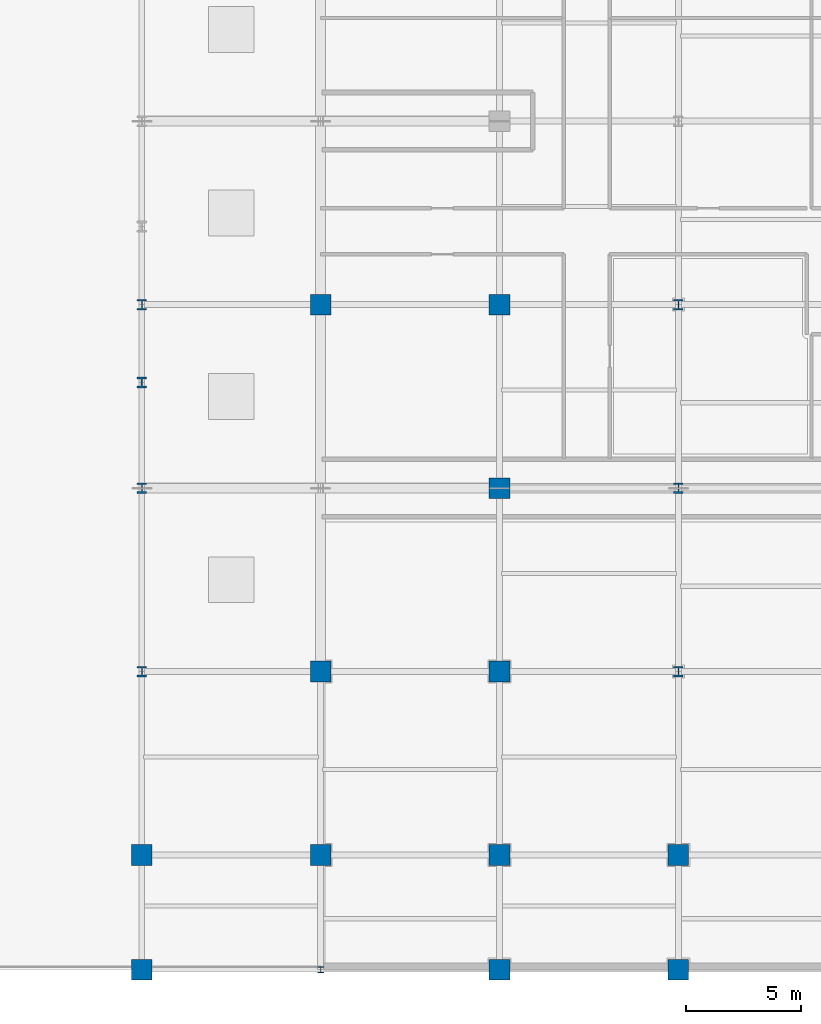
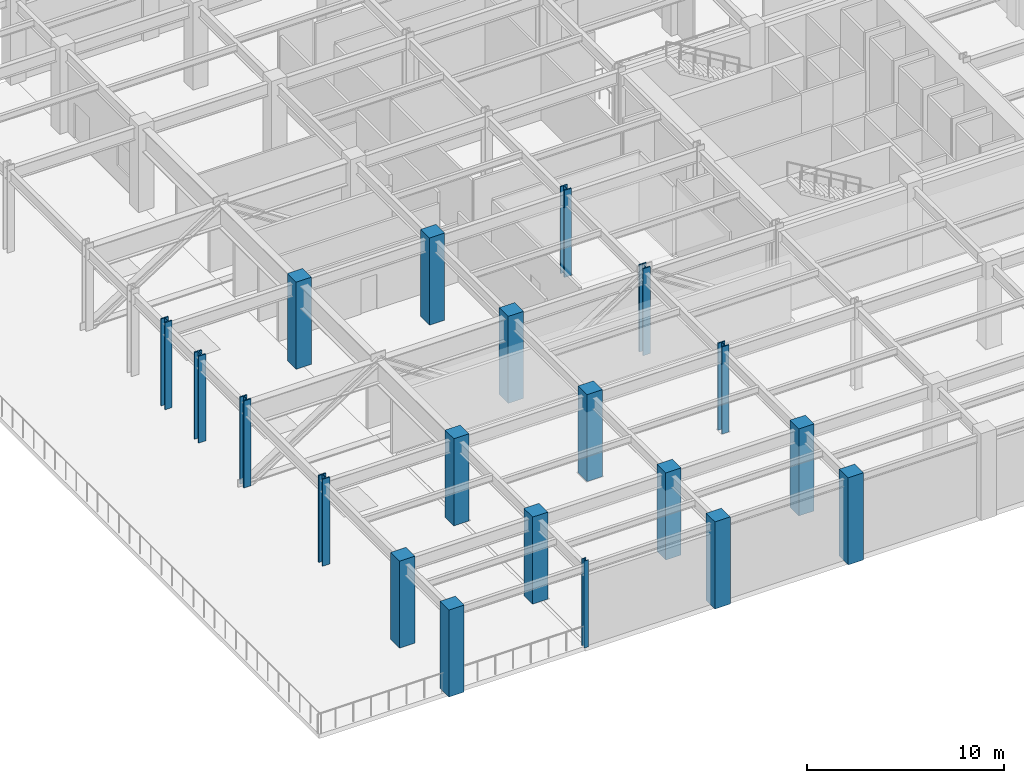
# One storey, part 1 of 14: 20 columns.
"""IFC4 building model written with IfcOpenShell, lengths in metres."""

from ifc_helpers import new_model, si_unit, direction, frame, origin, origin_2d, place, context, subcontext, project, spatial, rectangle, i_section, extrude, material, material_profile, profile_set, type_object, element, save


model = new_model("IFC4")

# Units and contexts
model_context = context("Model", 3, precision=1e-05, world=origin(), true_north=direction((0.0, 1.0)))
body_context = subcontext(model_context, "Body", "Model", "MODEL_VIEW")
ifc_project = project(units=[si_unit("LENGTHUNIT", "METRE"), si_unit("AREAUNIT", "SQUARE_METRE"), si_unit("VOLUMEUNIT", "CUBIC_METRE"), si_unit("PLANEANGLEUNIT", "RADIAN"), si_unit("MASSUNIT", "GRAM", prefix="KILO")], contexts=[model_context])

# Site, building, storey
site_placement = place(None, origin())
site = spatial("IfcSite", under=ifc_project, at=site_placement, CompositionType="ELEMENT")
building_placement = place(site_placement, origin())
building = spatial("IfcBuilding", under=site, at=building_placement, Name="Veymaron Broadcast Tower", CompositionType="ELEMENT")
storey_placement = place(building_placement, frame((0.0, 0.0, 27.0)))
storey = spatial("IfcBuildingStorey", under=building, at=storey_placement, Name="L05", CompositionType="ELEMENT", Elevation=27.0)

# Columns
ifc_material_1 = material(Name="Structural steel ASTM A913 Gr 65", Category="steel")
ifc_material_profile_1 = material_profile(ifc_material_1, i_section(OverallWidth=0.424072265625, OverallDepth=0.47412109375, WebThickness=0.047607421875, FlangeThickness=0.076904296875, at=origin_2d()), Name="W360X634")
ifc_profile_set_1 = profile_set([ifc_material_profile_1], Name="Structural steel ASTM A913 Gr 65")
column_type_1 = type_object("IfcColumnType", Name="COL-MC1", PredefinedType="COLUMN", material=ifc_profile_set_1)
column_1_placement = place(storey_placement, frame((7.800048828125, 20.60009765625, 0.0), z_axis=(0.0, 0.0, 1.0), x_axis=(1.0, 0.0, 0.0)))
element("IfcColumn", 1, at=column_1_placement, inside=storey, type_object=column_type_1, Name="L05 Mega Column podium base", PredefinedType="COLUMN", context=body_context, shape_type="SweptSolid", body=[
    extrude(i_section(OverallWidth=0.424072265625, OverallDepth=0.47412109375, WebThickness=0.047607421875, FlangeThickness=0.076904296875, at=origin_2d()), origin(), (0.0, 0.0, 1.0), 5.382080078125),
])
ifc_material_profile_2 = material_profile(ifc_material_1, i_section(OverallWidth=0.41796875, OverallDepth=0.455078125, WebThickness=0.0419921875, FlangeThickness=0.067626953125, at=origin_2d()), Name="W360X551")
ifc_profile_set_2 = profile_set([ifc_material_profile_2], Name="Structural steel ASTM A913 Gr 65")
column_type_2 = type_object("IfcColumnType", Name="COL-MC2", PredefinedType="COLUMN", material=ifc_profile_set_2)
for number, where, z_axis, x_axis, name in (
    (2, (7.800048828125, 8.0, 0.0), (0.0, 0.0, 1.0), (1.0, 0.0, 0.0), "L05 column (7.8, 8.0)"),
    (3, (7.800048828125, 16.0, 0.0), (0.0, 0.0, 1.0), (1.0, 0.0, 0.0), "L05 column (7.8, 16.0)"),
    (4, (7.800048828125, 24.0, 0.0), (0.0, 0.0, 1.0), (1.0, 0.0, 0.0), "L05 column (7.8, 24.0)"),
    (5, (31.199951171875, 8.0, 0.0), (0.0, 0.0, 1.0), (1.0, 0.0, 0.0), "L05 column (31.2, 8.0)"),
    (6, (31.199951171875, 16.0, 0.0), (0.0, 0.0, 1.0), (1.0, 0.0, 0.0), "L05 column (31.2, 16.0)"),
    (7, (31.199951171875, 24.0, 0.0), (0.0, 0.0, 1.0), (1.0, 0.0, 0.0), "L05 column (31.2, 24.0)"),
):
    element("IfcColumn", number, at=place(storey_placement, frame(where, z_axis=z_axis, x_axis=x_axis)), inside=storey, type_object=column_type_2, Name=name, PredefinedType="COLUMN", context=body_context, shape_type="SweptSolid", body=[
        extrude(i_section(OverallWidth=0.41796875, OverallDepth=0.455078125, WebThickness=0.0419921875, FlangeThickness=0.067626953125, at=origin_2d()), origin(), (0.0, 0.0, 1.0), 5.39501953125),
    ])
ifc_material_2 = material(Name="Concrete C50/60", Category="concrete")
ifc_material_profile_3 = material_profile(ifc_material_2, rectangle(XDim=0.89990234375, YDim=0.89990234375, at=origin_2d()), Name="RC900X900")
ifc_profile_set_3 = profile_set([ifc_material_profile_3], Name="Concrete C50/60")
column_type_3 = type_object("IfcColumnType", Name="COL-RC4", PredefinedType="COLUMN", material=ifc_profile_set_3)
for number, where, z_axis, x_axis, name in (
    (8, (7.800048828125, -5.0, 0.0), (0.0, 0.0, 1.0), (1.0, 0.0, 0.0), "L05 column (7.8, -5.0)"),
    (9, (7.800048828125, 0.0, 0.0), (0.0, 0.0, 1.0), (1.0, 0.0, 0.0), "L05 column (7.8, 0.0)"),
    (10, (15.60009765625, 0.0, 0.0), (0.0, 0.0, 1.0), (1.0, 0.0, 0.0), "L05 column (15.6, 0.0)"),
    (11, (15.60009765625, 8.0, 0.0), (0.0, 0.0, 1.0), (1.0, 0.0, 0.0), "L05 column (15.6, 8.0)"),
    (12, (15.60009765625, 24.0, 0.0), (0.0, 0.0, 1.0), (1.0, 0.0, 0.0), "L05 column (15.6, 24.0)"),
    (13, (23.39990234375, -5.0, 0.0), (0.0, 0.0, 1.0), (1.0, 0.0, 0.0), "L05 column (23.4, -5.0)"),
    (14, (23.39990234375, 0.0, 0.0), (0.0, 0.0, 1.0), (1.0, 0.0, 0.0), "L05 column (23.4, 0.0)"),
    (15, (23.39990234375, 8.0, 0.0), (0.0, 0.0, 1.0), (1.0, 0.0, 0.0), "L05 column (23.4, 8.0)"),
    (16, (23.39990234375, 16.0, 0.0), (0.0, 0.0, 1.0), (1.0, 0.0, 0.0), "L05 column (23.4, 16.0)"),
    (17, (23.39990234375, 24.0, 0.0), (0.0, 0.0, 1.0), (1.0, 0.0, 0.0), "L05 column (23.4, 24.0)"),
    (18, (31.199951171875, -5.0, 0.0), (0.0, 0.0, 1.0), (1.0, 0.0, 0.0), "L05 column (31.2, -5.0)"),
    (19, (31.199951171875, 0.0, 0.0), (0.0, 0.0, 1.0), (1.0, 0.0, 0.0), "L05 column (31.2, 0.0)"),
):
    element("IfcColumn", number, at=place(storey_placement, frame(where, z_axis=z_axis, x_axis=x_axis)), inside=storey, type_object=column_type_3, Name=name, PredefinedType="COLUMN", context=body_context, shape_type="SweptSolid", body=[
        extrude(rectangle(XDim=0.89990234375, YDim=0.89990234375, at=origin_2d()), origin(), (0.0, 0.0, 1.0), 5.39501953125),
    ])
ifc_material_3 = material(Name="Structural steel ASTM A992 Gr 50", Category="steel")
ifc_material_profile_4 = material_profile(ifc_material_3, i_section(OverallWidth=0.256103515625, OverallDepth=0.260009765625, WebThickness=0.0107421875, FlangeThickness=0.017333984375, at=origin_2d()), Name="W250X89")
ifc_profile_set_4 = profile_set([ifc_material_profile_4], Name="Structural steel ASTM A992 Gr 50")
column_type_4 = type_object("IfcColumnType", Name="COL-SC4", PredefinedType="PILASTER", material=ifc_profile_set_4)
column_2_placement = place(storey_placement, frame((15.60009765625, -5.0, 0.0), z_axis=(0.0, 0.0, 1.0), x_axis=(1.0, 0.0, 0.0)))
element("IfcColumn", 20, at=column_2_placement, inside=storey, type_object=column_type_4, Name="L05 column (15.6, -5.0)", PredefinedType="PILASTER", context=body_context, shape_type="SweptSolid", body=[
    extrude(i_section(OverallWidth=0.256103515625, OverallDepth=0.260009765625, WebThickness=0.0107421875, FlangeThickness=0.017333984375, at=origin_2d()), origin(), (0.0, 0.0, 1.0), 5.39501953125),
])

save(model, "model.ifc")
